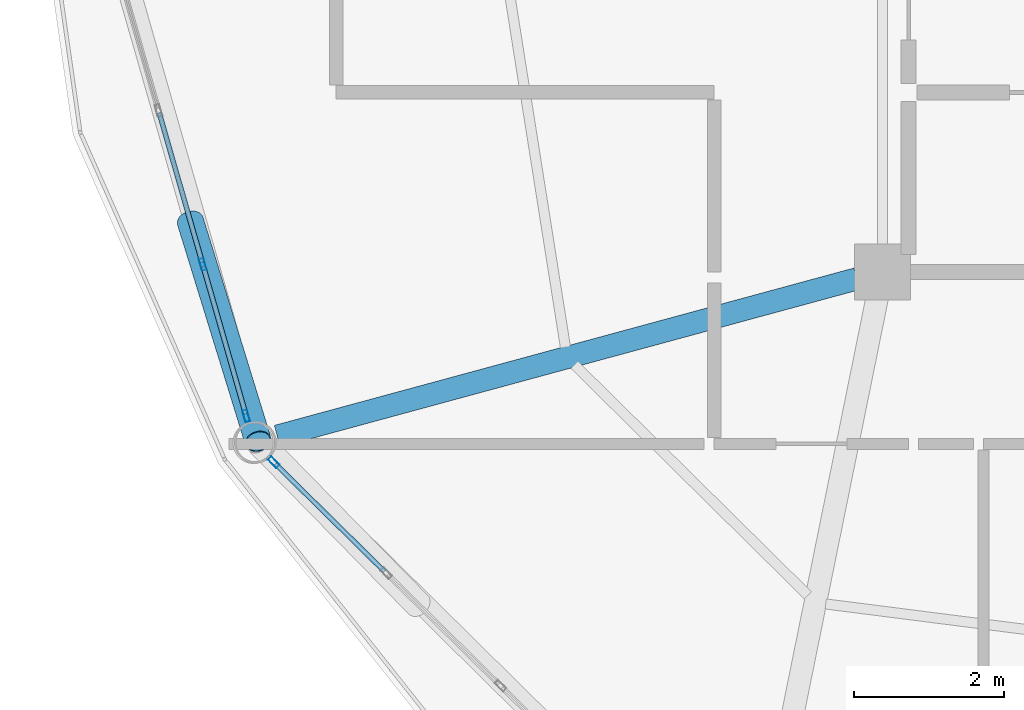
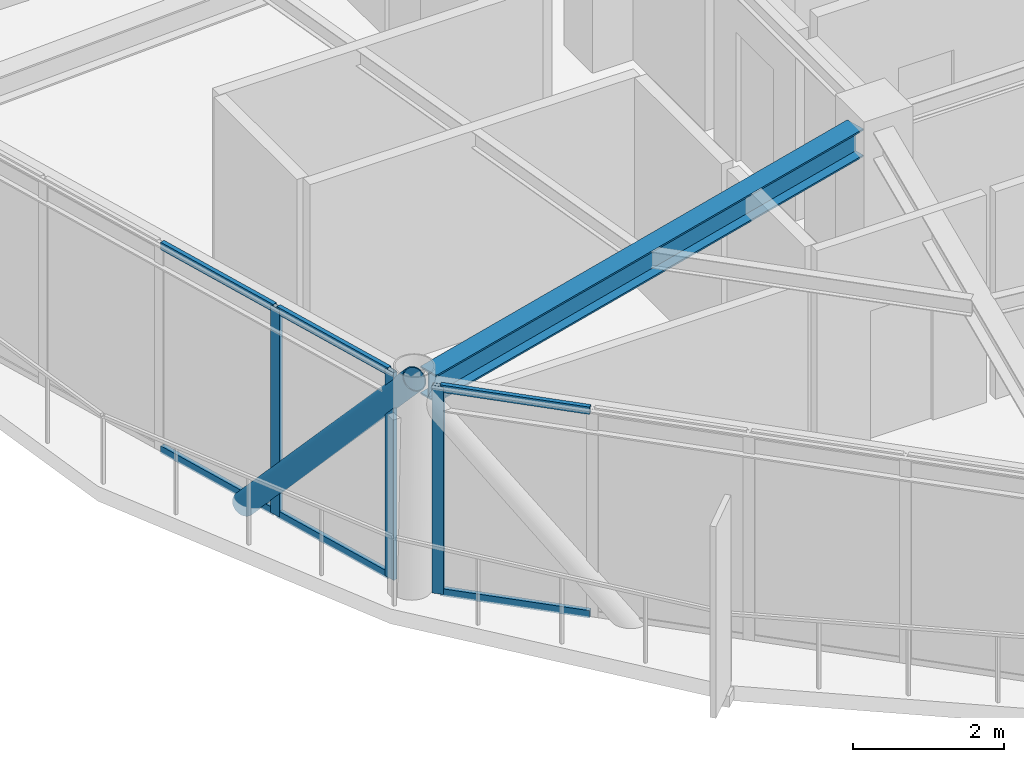
# One storey, part 4 of 26: 10 members, 1 beam, 2 elements without a shape of their own.
"""IFC4 building model written with IfcOpenShell, lengths in metres."""

import ifcopenshell
import ifcopenshell.guid

model = None  # the IFC model being written
_history = None  # IfcOwnerHistory: only IFC2X3 demands one
_inside = {}  # id of a spatial element -> (the spatial element, [elements in it])
_under = {}  # id of a project, library or spatial element -> (it, [spatial elements below it])
_declared = {}  # id of a project -> (the project, [libraries it declares])
_typed = {}  # id of a type object -> (the type object, [elements of that type])
_made_of = {}  # id of a material, layer set ... -> (it, [elements and type objects made of it])


def new_model(schema):
    """Start an empty IFC model of exactly this schema.

    Asked for "IFC4X3", IfcOpenShell would pick the latest addendum, in which some entities
    have other attributes; the version numbers below select the first issue.
    IFC2X3 requires an IfcOwnerHistory on every rooted entity: one is made here for all.
    """
    global model, _history
    if schema == "IFC4X3":
        model = ifcopenshell.file(schema_version=(4, 3, 0, 0))
    else:
        model = ifcopenshell.file(schema=schema)
    _inside.clear()
    _under.clear()
    _declared.clear()
    _typed.clear()
    _made_of.clear()
    _history = None
    if model.schema == "IFC2X3":
        org = make("IfcOrganization", Name="unknown")
        user = make(
            "IfcPersonAndOrganization",
            ThePerson=make("IfcPerson", FamilyName="unknown"),
            TheOrganization=org,
        )
        app = make(
            "IfcApplication",
            ApplicationDeveloper=org,
            Version="unknown",
            ApplicationFullName="unknown",
            ApplicationIdentifier="unknown",
        )
        _history = make(
            "IfcOwnerHistory",
            OwningUser=user,
            OwningApplication=app,
            ChangeAction="ADDED",
            CreationDate=0,
        )
    return model


def make(cls, **values):
    """One entity of the class cls with the attributes given. An attribute that is None is left unset."""
    return model.create_entity(
        cls, **{name: value for name, value in values.items() if value is not None}
    )


def rooted(cls, **values):
    """An entity with a GlobalId (a new one), such as an element, a storey or a relation."""
    return make(cls, GlobalId=ifcopenshell.guid.new(), OwnerHistory=_history, **values)


def si_unit(unit_type, name, prefix=None):
    """IfcSIUnit, for example si_unit("LENGTHUNIT", "METRE", prefix="MILLI")."""
    return make("IfcSIUnit", UnitType=unit_type, Prefix=prefix, Name=name)


def assignment(units):
    """IfcUnitAssignment: the units of a project."""
    return None if units is None else make("IfcUnitAssignment", Units=units)


def point(xyz):
    """IfcCartesianPoint."""
    return None if xyz is None else make("IfcCartesianPoint", Coordinates=xyz)


def direction(xyz):
    """IfcDirection."""
    return None if xyz is None else make("IfcDirection", DirectionRatios=xyz)


def frame(location, z_axis=None, x_axis=None):
    """IfcAxis2Placement3D, a coordinate frame: its origin and axes. An axis left out is left unset."""
    return make(
        "IfcAxis2Placement3D",
        Location=point(location),
        Axis=direction(z_axis),
        RefDirection=direction(x_axis),
    )


def frame_2d(location, x_axis=None):
    """IfcAxis2Placement2D, a coordinate frame in the plane: its origin and x axis."""
    return make(
        "IfcAxis2Placement2D", Location=point(location), RefDirection=direction(x_axis)
    )


def origin():
    """The frame at (0, 0, 0) with its axes left unset."""
    return frame((0.0, 0.0, 0.0))


def origin_2d():
    """The frame at (0, 0) in the plane with its x axis left unset."""
    return frame_2d((0.0, 0.0))


def place(relative_to, where):
    """IfcLocalPlacement: puts the frame where relative to a parent placement (None: the world)."""
    return make(
        "IfcLocalPlacement", PlacementRelTo=relative_to, RelativePlacement=where
    )


def context(
    kind, dimensions, precision=None, world=None, true_north=None, identifier=None
):
    """IfcGeometricRepresentationContext, for example the 3D "Model" context."""
    return make(
        "IfcGeometricRepresentationContext",
        ContextIdentifier=identifier,
        ContextType=kind,
        CoordinateSpaceDimension=dimensions,
        Precision=precision,
        WorldCoordinateSystem=world,
        TrueNorth=true_north,
    )


def subcontext(parent, identifier, kind, view, scale=None):
    """IfcGeometricRepresentationSubContext, for example "Body" below "Model"."""
    return make(
        "IfcGeometricRepresentationSubContext",
        ContextIdentifier=identifier,
        ContextType=kind,
        ParentContext=parent,
        TargetScale=scale,
        TargetView=view,
    )


def project(units=None, contexts=None):
    """IfcProject with its units and contexts."""
    return rooted(
        "IfcProject",
        Name="project",
        RepresentationContexts=contexts,
        UnitsInContext=assignment(units),
    )


def spatial(cls, under=None, at=None, **own):
    """A site, building, storey or space (cls), placed at a placement, below another one or the project."""
    s = rooted(cls, ObjectPlacement=at, **own)
    if under is not None:
        _under.setdefault(under.id(), (under, []))[1].append(s)
    return s


def profile(cls, at=None, kind="AREA", **sizes):
    """A parametric profile (cls). Its sizes go by their IFC names, for example OverallWidth=200.0."""
    return make(cls, ProfileType=kind, Position=at, **sizes)


def hollow_rectangle(**sizes):
    """IfcRectangleHollowProfileDef."""
    return profile("IfcRectangleHollowProfileDef", **sizes)


def hollow_circle(**sizes):
    """IfcCircleHollowProfileDef."""
    return profile("IfcCircleHollowProfileDef", **sizes)


def i_section(**sizes):
    """IfcIShapeProfileDef."""
    return profile("IfcIShapeProfileDef", **sizes)


def extrude(swept, where, along, depth):
    """IfcExtrudedAreaSolid: the profile swept, set in the frame where, extruded along a direction by depth."""
    return make(
        "IfcExtrudedAreaSolid",
        SweptArea=swept,
        Position=where,
        ExtrudedDirection=direction(along),
        Depth=depth,
    )


def shape(context_of_items, identifier, shape_type, items):
    """IfcShapeRepresentation: the items that make up one representation, for example the "Body"."""
    return make(
        "IfcShapeRepresentation",
        ContextOfItems=context_of_items,
        RepresentationIdentifier=identifier,
        RepresentationType=shape_type,
        Items=items,
    )


def material(Name=None, Category=None):
    """IfcMaterial."""
    return make("IfcMaterial", Name=Name, Category=Category)


def layer(
    of_material, thickness, ventilated=None, Name=None, Category=None, Priority=None
):
    """IfcMaterialLayer: one layer of a wall or slab, of a material (None: an air gap)."""
    return make(
        "IfcMaterialLayer",
        Material=of_material,
        LayerThickness=thickness,
        IsVentilated=ventilated,
        Name=Name,
        Category=Category,
        Priority=Priority,
    )


def layer_set(layers, Name=None):
    """IfcMaterialLayerSet."""
    return make("IfcMaterialLayerSet", MaterialLayers=layers, LayerSetName=Name)


def material_profile(
    of_material, cross_section, Name=None, Category=None, Priority=None
):
    """IfcMaterialProfile: a cross section and its material."""
    return make(
        "IfcMaterialProfile",
        Name=Name,
        Material=of_material,
        Profile=cross_section,
        Priority=Priority,
        Category=Category,
    )


def profile_set(profiles, Name=None, composite=None):
    """IfcMaterialProfileSet."""
    return make(
        "IfcMaterialProfileSet",
        Name=Name,
        MaterialProfiles=profiles,
        CompositeProfile=composite,
    )


def made_of(thing, what):
    """Note that an element or type object is made of a material, layer set ...; save() writes the relation."""
    if what is not None:
        _made_of.setdefault(what.id(), (what, []))[1].append(thing)
    return thing


def type_object(cls, material=None, **own):
    """A type object (cls), such as IfcWallType, which elements share."""
    return made_of(rooted(cls, **own), material)


def element(
    cls,
    number,
    at=None,
    inside=None,
    cuts=None,
    type_object=None,
    material=None,
    context=None,
    identifier="Body",
    shape_type=None,
    held_by="IfcProductDefinitionShape",
    body=None,
    shapes=None,
    **own,
):
    """One element of the class cls, such as IfcWall. Its Tag is "e" and its number.

    at: its placement. inside: the storey or other place that contains it. cuts: it is an
    opening in that element (IfcRelVoidsElement). A single representation is given by context,
    identifier, shape_type and body (its items); several are given by shapes. held_by: the class
    of the entity that holds the representations. save() writes the other relations.
    """
    e = rooted(cls, Tag="e%d" % number, ObjectPlacement=at, **own)
    if body is not None:
        shapes = [shape(context, identifier, shape_type, body)]
    if shapes is not None:
        e.Representation = make(held_by, Representations=shapes)
    if inside is not None:
        _inside.setdefault(inside.id(), (inside, []))[1].append(e)
    if cuts is not None:
        rooted(
            "IfcRelVoidsElement", RelatingBuildingElement=cuts, RelatedOpeningElement=e
        )
    if type_object is not None:
        _typed.setdefault(type_object.id(), (type_object, []))[1].append(e)
    return made_of(e, material)


def aggregate(whole, parts):
    """IfcRelAggregates: a whole, such as a stair, and the parts it consists of."""
    return rooted("IfcRelAggregates", RelatingObject=whole, RelatedObjects=parts)


def save(model, path):
    """Write the relations noted so far, then the file.

    IfcRelAggregates (storeys below a building ...), IfcRelContainedInSpatialStructure (elements
    in a storey), IfcRelDefinesByType, IfcRelAssociatesMaterial and IfcRelDeclares: one each for
    every whole, place, type object, material and project.
    """
    for whole, parts in _under.values():
        aggregate(whole, parts)
    for where, things in _inside.values():
        rooted(
            "IfcRelContainedInSpatialStructure",
            RelatedElements=things,
            RelatingStructure=where,
        )
    for kind, things in _typed.values():
        rooted("IfcRelDefinesByType", RelatedObjects=things, RelatingType=kind)
    for what, things in _made_of.values():
        rooted("IfcRelAssociatesMaterial", RelatedObjects=things, RelatingMaterial=what)
    for by, libraries in _declared.values():
        rooted("IfcRelDeclares", RelatingContext=by, RelatedDefinitions=libraries)
    model.write(path)


model = new_model("IFC4")

# Units and contexts
model_context = context("Model", 3, precision=1e-05, world=origin(), true_north=direction((0.0, 1.0)))
body_context = subcontext(model_context, "Body", "Model", "MODEL_VIEW")
ifc_project = project(units=[si_unit("LENGTHUNIT", "METRE"), si_unit("AREAUNIT", "SQUARE_METRE"), si_unit("VOLUMEUNIT", "CUBIC_METRE"), si_unit("PLANEANGLEUNIT", "RADIAN"), si_unit("MASSUNIT", "GRAM", prefix="KILO")], contexts=[model_context])

# Site, building, storey
site_placement = place(None, origin())
site = spatial("IfcSite", under=ifc_project, at=site_placement, CompositionType="ELEMENT")
building_placement = place(site_placement, origin())
building = spatial("IfcBuilding", under=site, at=building_placement, Name="Varnakorn Sky Granary", CompositionType="ELEMENT")
storey_placement = place(building_placement, frame((0.0, 0.0, 267.0)))
storey = spatial("IfcBuildingStorey", under=building, at=storey_placement, Name="L68", CompositionType="ELEMENT", Elevation=267.0)

# Beam
ifc_material_1 = material(Name="Steel S355JR", Category="steel")
ifc_material_profile_1 = material_profile(ifc_material_1, i_section(OverallWidth=0.300048828125, OverallDepth=0.449951171875, WebThickness=0.013916015625, FlangeThickness=0.02587890625, at=origin_2d()), Name="HE 450 B")
ifc_profile_set_1 = profile_set([ifc_material_profile_1], Name="Steel S355JR")
beam_type = type_object("IfcBeamType", Name="BM-RAD-Z5", PredefinedType="BEAM", material=ifc_profile_set_1)
beam_placement = place(storey_placement, frame((-2.692626953125, -6.693115234375, 3.135009765625), z_axis=(-0.965058545816, -0.262034354898, 0.0), x_axis=(0.262034354898, -0.965058545816, 0.0)))
element("IfcBeam", 1, at=beam_placement, inside=storey, type_object=beam_type, Name="Radial Floor Girder RG08 L68", PredefinedType="BEAM", context=body_context, shape_type="SweptSolid", body=[
    extrude(i_section(OverallWidth=0.300048828125, OverallDepth=0.449951171875, WebThickness=0.013916015625, FlangeThickness=0.02587890625, at=origin_2d()), origin(), (0.0, 0.0, 1.0), 8.03125),
])

# Curtain wall, members
ifc_material_2 = material(Name="Anodised Bronze Aluminium Alloy 6063-T6", Category="aluminium")
ifc_layer = layer(ifc_material_2, 0.159912109375, Name="Anodised Bronze Aluminium Alloy 6063-T6")
ifc_layer_set = layer_set([ifc_layer], Name="Anodised Bronze Aluminium Alloy 6063-T6")
curtain_wall_type = type_object("IfcCurtainWallType", Name="CW-OFF-1", PredefinedType="USERDEFINED", material=ifc_layer_set)
curtain_wall_1_placement = place(storey_placement, origin())
curtain_wall_1 = element("IfcCurtainWall", 2, at=curtain_wall_1_placement, inside=storey, type_object=curtain_wall_type, Name="Unitised Curtain Wall CW6 CW-L68-B07", ObjectType="CURTAIN WALL", PredefinedType="USERDEFINED")
ifc_material_profile_2 = material_profile(ifc_material_2, hollow_rectangle(XDim=0.06494140625, YDim=0.159912109375, WallThickness=0.00341796875, at=origin_2d()), Name="ALU MULL 65x160")
ifc_profile_set_2 = profile_set([ifc_material_profile_2], Name="Anodised Bronze Aluminium Alloy 6063-T6")
member_type_1 = type_object("IfcMemberType", Name="CW-OFF-1-MULL", PredefinedType="MULLION", material=ifc_profile_set_2)
member_1_placement = place(storey_placement, frame((-10.859130859375, -8.5263671875, 0.0), z_axis=(0.0, 0.0, 1.0), x_axis=(-0.961203382368, -0.275840638274, 0.0)))
member_1 = element("IfcMember", 3, at=member_1_placement, type_object=member_type_1, Name="CW6 mullion 1", PredefinedType="MULLION", context=body_context, shape_type="SweptSolid", body=[
    extrude(hollow_rectangle(XDim=0.06494140625, YDim=0.159912109375, WallThickness=0.00341796875, at=origin_2d()), origin(), (0.0, 0.0, 1.0), 3.360107421875),
])
member_2_placement = place(storey_placement, frame((-11.440673828125, -6.499755859375, 0.0), z_axis=(0.0, 0.0, 1.0), x_axis=(-0.961203382368, -0.275840638274, 0.0)))
member_2 = element("IfcMember", 4, at=member_2_placement, type_object=member_type_1, Name="CW6 mullion 2", PredefinedType="MULLION", context=body_context, shape_type="SweptSolid", body=[
    extrude(hollow_rectangle(XDim=0.06494140625, YDim=0.159912109375, WallThickness=0.00341796875, at=origin_2d()), origin(), (0.0, 0.0, 1.0), 3.360107421875),
])

# Curtain wall, member
curtain_wall_2_placement = place(storey_placement, origin())
curtain_wall_2 = element("IfcCurtainWall", 5, at=curtain_wall_2_placement, inside=storey, type_object=curtain_wall_type, Name="Unitised Curtain Wall CW6 CW-L68-B08", ObjectType="CURTAIN WALL", PredefinedType="USERDEFINED")
member_3_placement = place(storey_placement, frame((-10.49169921875, -9.145263671875, 0.0), z_axis=(0.0, 0.0, 1.0), x_axis=(-0.702091405728, -0.71208683319, 0.0)))
member_3 = element("IfcMember", 6, at=member_3_placement, type_object=member_type_1, Name="CW6 mullion 5", PredefinedType="MULLION", context=body_context, shape_type="SweptSolid", body=[
    extrude(hollow_rectangle(XDim=0.06494140625, YDim=0.159912109375, WallThickness=0.00341796875, at=origin_2d()), origin(), (0.0, 0.0, 1.0), 3.360107421875),
])

# Member
ifc_material_profile_3 = material_profile(ifc_material_2, hollow_rectangle(XDim=0.06494140625, YDim=0.1201171875, WallThickness=0.00341796875, at=origin_2d()), Name="ALU TRAN 65x120")
ifc_profile_set_3 = profile_set([ifc_material_profile_3], Name="Anodised Bronze Aluminium Alloy 6063-T6")
member_type_2 = type_object("IfcMemberType", Name="CW-OFF-1-TRAN", PredefinedType="USERDEFINED", material=ifc_profile_set_3)
member_4_placement = place(storey_placement, frame((-10.8681640625, -8.4951171875, 0.032470703125), z_axis=(-0.275872871365, 0.961194131716, 0.0), x_axis=(-0.961194131716, -0.275872871365, 0.0)))
member_4 = element("IfcMember", 7, at=member_4_placement, type_object=member_type_2, Name="CW6 transom 1.1", ObjectType="TRANSOM", PredefinedType="USERDEFINED", context=body_context, shape_type="SweptSolid", body=[
    extrude(hollow_rectangle(XDim=0.06494140625, YDim=0.1201171875, WallThickness=0.00341796875, at=origin_2d()), origin(), (0.0, 0.0, 1.0), 2.04345703125),
])

member_5_placement = place(storey_placement, frame((-10.8681640625, -8.4951171875, 3.327392578125), z_axis=(-0.275872871365, 0.961194131716, 0.0), x_axis=(-0.961194131716, -0.275872871365, 0.0)))
member_5 = element("IfcMember", 8, at=member_5_placement, type_object=member_type_2, Name="CW6 transom 1.2", ObjectType="TRANSOM", PredefinedType="USERDEFINED", context=body_context, shape_type="SweptSolid", body=[
    extrude(hollow_rectangle(XDim=0.06494140625, YDim=0.1201171875, WallThickness=0.00341796875, at=origin_2d()), origin(), (0.0, 0.0, 1.0), 2.04345703125),
])

member_6_placement = place(storey_placement, frame((-11.44970703125, -6.468505859375, 0.032470703125), z_axis=(-0.275792751075, 0.961217123471, 0.0), x_axis=(-0.961217123471, -0.275792751075, 0.0)))
member_6 = element("IfcMember", 9, at=member_6_placement, type_object=member_type_2, Name="CW6 transom 2.1", ObjectType="TRANSOM", PredefinedType="USERDEFINED", context=body_context, shape_type="SweptSolid", body=[
    extrude(hollow_rectangle(XDim=0.06494140625, YDim=0.1201171875, WallThickness=0.00341796875, at=origin_2d()), origin(), (0.0, 0.0, 1.0), 2.075927734375),
])

member_7_placement = place(storey_placement, frame((-11.44970703125, -6.468505859375, 3.327392578125), z_axis=(-0.275792751075, 0.961217123471, 0.0), x_axis=(-0.961217123471, -0.275792751075, 0.0)))
member_7 = element("IfcMember", 10, at=member_7_placement, type_object=member_type_2, Name="CW6 transom 2.2", ObjectType="TRANSOM", PredefinedType="USERDEFINED", context=body_context, shape_type="SweptSolid", body=[
    extrude(hollow_rectangle(XDim=0.06494140625, YDim=0.1201171875, WallThickness=0.00341796875, at=origin_2d()), origin(), (0.0, 0.0, 1.0), 2.075927734375),
])

aggregate(curtain_wall_1, [member_1, member_2, member_4, member_5, member_6, member_7])

member_8_placement = place(storey_placement, frame((-9.009765625, -10.606201171875, 0.032470703125), z_axis=(-0.712094582658, 0.702083545847, 0.0), x_axis=(-0.702083545847, -0.712094582658, 0.0)))
member_8 = element("IfcMember", 11, at=member_8_placement, type_object=member_type_2, Name="CW6 transom 4.1", ObjectType="TRANSOM", PredefinedType="USERDEFINED", context=body_context, shape_type="SweptSolid", body=[
    extrude(hollow_rectangle(XDim=0.06494140625, YDim=0.1201171875, WallThickness=0.00341796875, at=origin_2d()), origin(), (0.0, 0.0, 1.0), 2.048583984375),
])

member_9_placement = place(storey_placement, frame((-9.009765625, -10.606201171875, 3.327392578125), z_axis=(-0.712094582658, 0.702083545847, 0.0), x_axis=(-0.702083545847, -0.712094582658, 0.0)))
member_9 = element("IfcMember", 12, at=member_9_placement, type_object=member_type_2, Name="CW6 transom 4.2", ObjectType="TRANSOM", PredefinedType="USERDEFINED", context=body_context, shape_type="SweptSolid", body=[
    extrude(hollow_rectangle(XDim=0.06494140625, YDim=0.1201171875, WallThickness=0.00341796875, at=origin_2d()), origin(), (0.0, 0.0, 1.0), 2.048583984375),
])

aggregate(curtain_wall_2, [member_3, member_8, member_9])

ifc_material_3 = material(Name="Steel S460M", Category="steel")
ifc_material_profile_4 = material_profile(ifc_material_3, hollow_circle(Radius=0.177734375, WallThickness=0.01416015625, at=origin_2d()), Name="CHS 355.6x14")
ifc_profile_set_4 = profile_set([ifc_material_profile_4], Name="Steel S460M")
member_type_3 = type_object("IfcMemberType", Name="MB-DIAG-T5", PredefinedType="BRACE", material=ifc_profile_set_4)
member_10_placement = place(storey_placement, frame((-11.6064453125, -5.922607421875, -0.1298828125), z_axis=(0.19502996822, -0.632444586377, 0.749651356738), x_axis=(0.955595507687, 0.294681566591, 0.0)))
element("IfcMember", 13, at=member_10_placement, inside=storey, type_object=member_type_3, Name="Perimeter CHS Diagrid Brace DG07 L68", PredefinedType="BRACE", context=body_context, shape_type="SweptSolid", body=[
    extrude(hollow_circle(Radius=0.177734375, WallThickness=0.01416015625, at=origin_2d()), origin(), (0.0, 0.0, 1.0), 4.655517578125),
])

save(model, "model.ifc")
